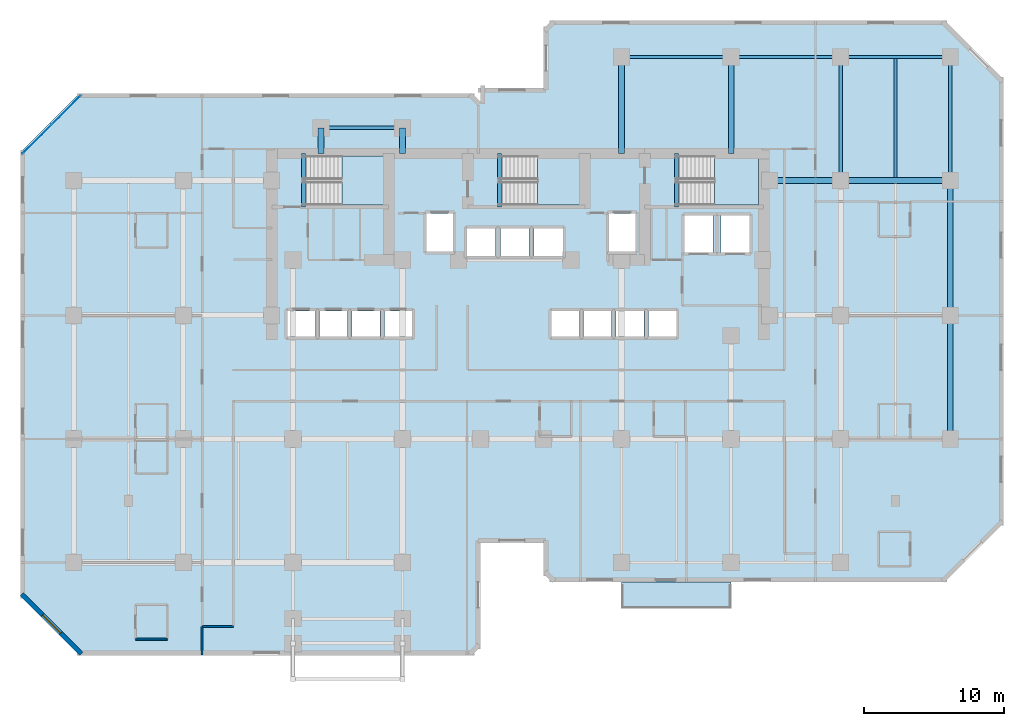
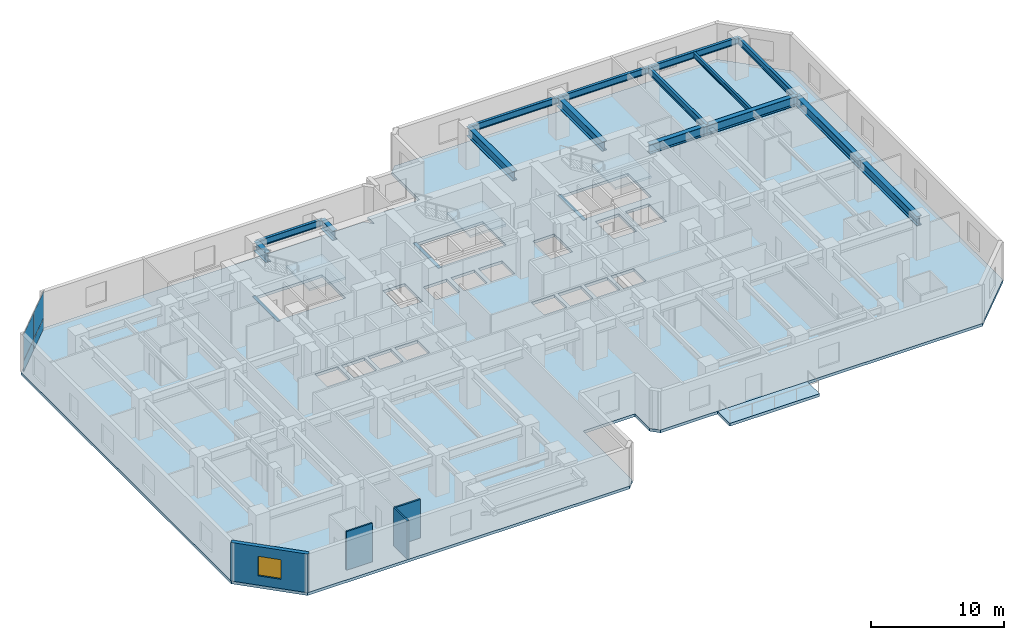
# One storey, part 5 of 12: 18 beams, 5 slabs, 4 plates, 4 walls, 1 window, 1 opening, 4 elements without a shape of their own.
"""IFC4 building model written with IfcOpenShell, lengths in metres."""

from ifc_helpers import new_model, si_unit, direction, frame, frame_2d, origin, origin_2d, place, context, subcontext, project, spatial, polyline, rectangle, i_section, outline, extrude, material, layer, layer_set, material_profile, profile_set, type_object, element, fill, aggregate, save


model = new_model("IFC4")

# Units and contexts
model_context = context("Model", 3, precision=1e-05, world=origin(), true_north=direction((0.0, 1.0)))
body_context = subcontext(model_context, "Body", "Model", "MODEL_VIEW")
ifc_project = project(units=[si_unit("LENGTHUNIT", "METRE"), si_unit("AREAUNIT", "SQUARE_METRE"), si_unit("VOLUMEUNIT", "CUBIC_METRE"), si_unit("PLANEANGLEUNIT", "RADIAN"), si_unit("MASSUNIT", "GRAM", prefix="KILO")], contexts=[model_context])

# Site, building, storey
site_placement = place(None, origin())
site = spatial("IfcSite", under=ifc_project, at=site_placement, CompositionType="ELEMENT")
building_placement = place(site_placement, origin())
building = spatial("IfcBuilding", under=site, at=building_placement, Name="Kestravale Grand Hotel", CompositionType="ELEMENT")
storey_placement = place(building_placement, frame((0.0, 0.0, 91.800048828125)))
storey = spatial("IfcBuildingStorey", under=building, at=storey_placement, Name="L22", CompositionType="ELEMENT", Elevation=91.800048828125)

# Beams
ifc_material_1 = material(Name="Steel ASTM A992 Grade 50", Category="steel")
ifc_material_profile_1 = material_profile(ifc_material_1, i_section(OverallWidth=0.19091796875, OverallDepth=0.45703125, WebThickness=0.009033203125, FlangeThickness=0.014404296875, FilletRadius=0.015380859375, at=origin_2d()))
ifc_profile_set_1 = profile_set([ifc_material_profile_1], Name="Steel ASTM A992 Grade 50")
beam_type_1 = type_object("IfcBeamType", Name="B-FLR-JST18", PredefinedType="JOIST", material=ifc_profile_set_1)
beam_1_placement = place(storey_placement, frame((66.300048828125, 38.6005859375, 3.3115234375), z_axis=(0.0, 1.0, 0.0), x_axis=(-1.0, 0.0, 0.0)))
element("IfcBeam", 1, at=beam_1_placement, inside=storey, type_object=beam_type_1, Name="L22 floor joist 10-11/F-G #1", PredefinedType="JOIST", context=body_context, shape_type="SweptSolid", body=[
    extrude(i_section(OverallWidth=0.19091796875, OverallDepth=0.45703125, WebThickness=0.009033203125, FlangeThickness=0.014404296875, FilletRadius=0.015380859375, at=origin_2d()), origin(), (0.0, 0.0, 1.0), 8.48486328125),
])
ifc_material_2 = material(Name="Concrete f'c 45 MPa", Category="concrete")
ifc_material_profile_2 = material_profile(ifc_material_2, rectangle(XDim=0.300048828125, YDim=0.39990234375, at=origin_2d()))
ifc_profile_set_2 = profile_set([ifc_material_profile_2], Name="Concrete f'c 45 MPa")
beam_type_2 = type_object("IfcBeamType", Name="B-FLR-LNT400", PredefinedType="LINTEL", material=ifc_profile_set_2)
for number, where, z_axis, x_axis, name in (
    (2, (24.159912109375, 36.52001953125, -0.199951171875), (0.0, 1.0, 0.0), (-1.0, 0.0, 0.0), "L22 ST1 flight bottom header beam"),
    (3, (38.110107421875, 36.52001953125, -0.199951171875), (0.0, 1.0, 0.0), (-1.0, 0.0, 0.0), "L22 ST2 flight bottom header beam"),
    (4, (50.7099609375, 36.52001953125, -0.199951171875), (0.0, 1.0, 0.0), (-1.0, 0.0, 0.0), "L22 ST3 flight bottom header beam"),
):
    element("IfcBeam", number, at=place(storey_placement, frame(where, z_axis=z_axis, x_axis=x_axis)), inside=storey, type_object=beam_type_2, Name=name, PredefinedType="LINTEL", context=body_context, shape_type="SweptSolid", body=[
        extrude(rectangle(XDim=0.300048828125, YDim=0.39990234375, at=origin_2d()), origin(), (0.0, 0.0, 1.0), 3.800048828125),
    ])
ifc_material_3 = material(Name="Steel ASTM A992 Grade 50", Category="steel")
ifc_material_profile_3 = material_profile(ifc_material_3, i_section(OverallWidth=0.22900390625, OverallDepth=0.612060546875, WebThickness=0.011962890625, FlangeThickness=0.01953125, FilletRadius=0.019287109375, at=origin_2d()))
ifc_profile_set_3 = profile_set([ifc_material_profile_3], Name="Steel ASTM A992 Grade 50")
beam_type_3 = type_object("IfcBeamType", Name="B-FLR-W24B", PredefinedType="SPANDREL", material=ifc_profile_set_3)
beam_2_placement = place(storey_placement, frame((46.800048828125, 47.199951171875, 3.23388671875), z_axis=(1.0, 0.0, 0.0), x_axis=(0.0, 1.0, 0.0)))
element("IfcBeam", 5, at=beam_2_placement, inside=storey, type_object=beam_type_3, Name="L22 spandrel G:8-9", PredefinedType="SPANDREL", context=body_context, shape_type="SweptSolid", body=[
    extrude(i_section(OverallWidth=0.22900390625, OverallDepth=0.612060546875, WebThickness=0.011962890625, FlangeThickness=0.01953125, FilletRadius=0.019287109375, at=origin_2d()), origin(), (0.0, 0.0, 1.0), 7.800048828125),
])
beam_3_placement = place(storey_placement, frame((54.60009765625, 47.199951171875, 3.23388671875), z_axis=(1.0, 0.0, 0.0), x_axis=(0.0, 1.0, 0.0)))
element("IfcBeam", 6, at=beam_3_placement, inside=storey, type_object=beam_type_3, Name="L22 spandrel G:9-10", PredefinedType="SPANDREL", context=body_context, shape_type="SweptSolid", body=[
    extrude(i_section(OverallWidth=0.22900390625, OverallDepth=0.612060546875, WebThickness=0.011962890625, FlangeThickness=0.01953125, FilletRadius=0.019287109375, at=origin_2d()), origin(), (0.0, 0.0, 1.0), 7.7998046875),
])
beam_4_placement = place(storey_placement, frame((62.39990234375, 47.199951171875, 3.23388671875), z_axis=(1.0, 0.0, 0.0), x_axis=(0.0, 1.0, 0.0)))
element("IfcBeam", 7, at=beam_4_placement, inside=storey, type_object=beam_type_3, Name="L22 spandrel G:10-11", PredefinedType="SPANDREL", context=body_context, shape_type="SweptSolid", body=[
    extrude(i_section(OverallWidth=0.22900390625, OverallDepth=0.612060546875, WebThickness=0.011962890625, FlangeThickness=0.01953125, FilletRadius=0.019287109375, at=origin_2d()), origin(), (0.0, 0.0, 1.0), 7.800048828125),
])
beam_5_placement = place(storey_placement, frame((25.39990234375, 42.14990234375, 3.23388671875), z_axis=(1.0, 0.0, 0.0), x_axis=(0.0, 1.0, 0.0)))
element("IfcBeam", 8, at=beam_5_placement, inside=storey, type_object=beam_type_3, Name="L22 perimeter tie spandrel FN:4-5", PredefinedType="SPANDREL", context=body_context, shape_type="SweptSolid", body=[
    extrude(i_section(OverallWidth=0.22900390625, OverallDepth=0.612060546875, WebThickness=0.011962890625, FlangeThickness=0.01953125, FilletRadius=0.019287109375, at=origin_2d()), origin(), (0.0, 0.0, 1.0), 5.800048828125),
])
for number, where, z_axis, x_axis, name in (
    (9, (62.39990234375, 38.39990234375, 3.23388671875), (0.0, 1.0, 0.0), (-1.0, 0.0, 0.0), "L22 spandrel 10:F-G"),
    (10, (70.199951171875, 38.39990234375, 3.23388671875), (0.0, 1.0, 0.0), (-1.0, 0.0, 0.0), "L22 spandrel 11:F-G"),
):
    element("IfcBeam", number, at=place(storey_placement, frame(where, z_axis=z_axis, x_axis=x_axis)), inside=storey, type_object=beam_type_3, Name=name, PredefinedType="SPANDREL", context=body_context, shape_type="SweptSolid", body=[
        extrude(i_section(OverallWidth=0.22900390625, OverallDepth=0.612060546875, WebThickness=0.011962890625, FlangeThickness=0.01953125, FilletRadius=0.019287109375, at=origin_2d()), origin(), (0.0, 0.0, 1.0), 8.800048828125),
    ])
ifc_material_4 = material(Name="Steel ASTM A992 Grade 50", Category="steel")
ifc_material_profile_4 = material_profile(ifc_material_4, i_section(OverallWidth=0.40087890625, OverallDepth=0.861083984375, WebThickness=0.019775390625, FlangeThickness=0.032470703125, FilletRadius=0.0234375, at=origin_2d()))
ifc_profile_set_4 = profile_set([ifc_material_profile_4], Name="Steel ASTM A992 Grade 50")
beam_type_4 = type_object("IfcBeamType", Name="B-GRD-W33", PredefinedType="BEAM", material=ifc_profile_set_4)
beam_6_placement = place(storey_placement, frame((57.35009765625, 38.39990234375, 3.109375), z_axis=(1.0, 0.0, 0.0), x_axis=(0.0, 1.0, 0.0)))
element("IfcBeam", 11, at=beam_6_placement, inside=storey, type_object=beam_type_4, Name="L22 girder F:CE-10", PredefinedType="BEAM", context=body_context, shape_type="SweptSolid", body=[
    extrude(i_section(OverallWidth=0.40087890625, OverallDepth=0.861083984375, WebThickness=0.019775390625, FlangeThickness=0.032470703125, FilletRadius=0.0234375, at=origin_2d()), origin(), (0.0, 0.0, 1.0), 5.0498046875),
])
beam_7_placement = place(storey_placement, frame((62.39990234375, 38.39990234375, 3.109375), z_axis=(1.0, 0.0, 0.0), x_axis=(0.0, 1.0, 0.0)))
element("IfcBeam", 12, at=beam_7_placement, inside=storey, type_object=beam_type_4, Name="L22 girder F:10-11", PredefinedType="BEAM", context=body_context, shape_type="SweptSolid", body=[
    extrude(i_section(OverallWidth=0.40087890625, OverallDepth=0.861083984375, WebThickness=0.019775390625, FlangeThickness=0.032470703125, FilletRadius=0.0234375, at=origin_2d()), origin(), (0.0, 0.0, 1.0), 7.800048828125),
])
beam_8_placement = place(storey_placement, frame((70.199951171875, 20.0, 3.109375), z_axis=(0.0, 1.0, 0.0), x_axis=(-1.0, 0.0, 0.0)))
element("IfcBeam", 13, at=beam_8_placement, inside=storey, type_object=beam_type_4, Name="L22 girder 11:D-E", PredefinedType="BEAM", context=body_context, shape_type="SweptSolid", body=[
    extrude(i_section(OverallWidth=0.40087890625, OverallDepth=0.861083984375, WebThickness=0.019775390625, FlangeThickness=0.032470703125, FilletRadius=0.0234375, at=origin_2d()), origin(), (0.0, 0.0, 1.0), 8.800048828125),
])
beam_9_placement = place(storey_placement, frame((70.199951171875, 28.800048828125, 3.109375), z_axis=(0.0, 1.0, 0.0), x_axis=(-1.0, 0.0, 0.0)))
element("IfcBeam", 14, at=beam_9_placement, inside=storey, type_object=beam_type_4, Name="L22 girder 11:E-F", PredefinedType="BEAM", context=body_context, shape_type="SweptSolid", body=[
    extrude(i_section(OverallWidth=0.40087890625, OverallDepth=0.861083984375, WebThickness=0.019775390625, FlangeThickness=0.032470703125, FilletRadius=0.0234375, at=origin_2d()), origin(), (0.0, 0.0, 1.0), 9.599853515625),
])
for number, where, z_axis, x_axis, name in (
    (15, (25.39990234375, 40.320068359375, 3.109375), (0.0, 1.0, 0.0), (-1.0, 0.0, 0.0), "L22 north wing tie girder 4:CN-FN"),
    (16, (31.199951171875, 40.320068359375, 3.109375), (0.0, 1.0, 0.0), (-1.0, 0.0, 0.0), "L22 north wing tie girder 5:CN-FN"),
):
    element("IfcBeam", number, at=place(storey_placement, frame(where, z_axis=z_axis, x_axis=x_axis)), inside=storey, type_object=beam_type_4, Name=name, PredefinedType="BEAM", context=body_context, shape_type="SweptSolid", body=[
        extrude(i_section(OverallWidth=0.40087890625, OverallDepth=0.861083984375, WebThickness=0.019775390625, FlangeThickness=0.032470703125, FilletRadius=0.0234375, at=origin_2d()), origin(), (0.0, 0.0, 1.0), 1.829833984375),
    ])
for number, where, z_axis, x_axis, name in (
    (17, (46.800048828125, 40.320068359375, 3.109375), (0.0, 1.0, 0.0), (-1.0, 0.0, 0.0), "L22 north wing tie girder 8:CN-G"),
    (18, (54.60009765625, 40.320068359375, 3.109375), (0.0, 1.0, 0.0), (-1.0, 0.0, 0.0), "L22 north wing tie girder 9:CN-G"),
):
    element("IfcBeam", number, at=place(storey_placement, frame(where, z_axis=z_axis, x_axis=x_axis)), inside=storey, type_object=beam_type_4, Name=name, PredefinedType="BEAM", context=body_context, shape_type="SweptSolid", body=[
        extrude(i_section(OverallWidth=0.40087890625, OverallDepth=0.861083984375, WebThickness=0.019775390625, FlangeThickness=0.032470703125, FilletRadius=0.0234375, at=origin_2d()), origin(), (0.0, 0.0, 1.0), 6.8798828125),
    ])

# Curtain wall, plates
ifc_material_5 = material(Name="Thermally broken champagne-bronze aluminium and low-E glazing", Category="aluminium")
ifc_layer_1 = layer(ifc_material_5, 0.199951171875)
ifc_layer_set_1 = layer_set([ifc_layer_1], Name="CW-Z2")
curtain_wall_type = type_object("IfcCurtainWallType", Name="CW-Z2", PredefinedType="NOTDEFINED", material=ifc_layer_set_1)
curtain_wall_placement = place(storey_placement, origin())
curtain_wall = element("IfcCurtainWall", 19, at=curtain_wall_placement, inside=storey, type_object=curtain_wall_type, Name="L22 unitised curtain wall 18", PredefinedType="NOTDEFINED")
ifc_material_6 = material(Name="Insulated clear low-E double glazing IGU", Category="glass")
ifc_layer_2 = layer(ifc_material_6, 0.031982421875)
ifc_layer_set_2 = layer_set([ifc_layer_2], Name="CW-PNL-32")
plate_type = type_object("IfcPlateType", Name="CW-PNL-32", PredefinedType="CURTAIN_PANEL", material=ifc_layer_set_2)
plate_1_placement = place(storey_placement, frame((7.26416015625, 43.423583984375, 0.06494140625), z_axis=(0.0, 0.0, 1.0), x_axis=(-0.707106781187, -0.707106781187, 0.0)))
plate_1 = element("IfcPlate", 20, at=plate_1_placement, type_object=plate_type, Name="CW-Z2 panel 1.1", PredefinedType="CURTAIN_PANEL", context=body_context, shape_type="SweptSolid", body=[
    extrude(rectangle(XDim=2.87744140625, YDim=0.031982421875, at=origin_2d()), origin(), (0.0, 0.0, 1.0), 0.952392578125),
])
plate_2_placement = place(storey_placement, frame((7.26416015625, 43.423583984375, 1.08251953125), z_axis=(0.0, 0.0, 1.0), x_axis=(-0.707106781187, -0.707106781187, 0.0)))
plate_2 = element("IfcPlate", 21, at=plate_2_placement, type_object=plate_type, Name="CW-Z2 panel 1.2", PredefinedType="CURTAIN_PANEL", context=body_context, shape_type="SweptSolid", body=[
    extrude(rectangle(XDim=2.87744140625, YDim=0.031982421875, at=origin_2d()), origin(), (0.0, 0.0, 1.0), 2.392578125),
])
plate_3_placement = place(storey_placement, frame((5.17626953125, 41.3359375, 0.06494140625), z_axis=(0.0, 0.0, 1.0), x_axis=(-0.707106781187, -0.707106781187, 0.0)))
plate_3 = element("IfcPlate", 22, at=plate_3_placement, type_object=plate_type, Name="CW-Z2 panel 2.1", PredefinedType="CURTAIN_PANEL", context=body_context, shape_type="SweptSolid", body=[
    extrude(rectangle(XDim=2.87744140625, YDim=0.031982421875, at=origin_2d()), origin(), (0.0, 0.0, 1.0), 0.952392578125),
])
plate_4_placement = place(storey_placement, frame((5.17626953125, 41.3359375, 1.08251953125), z_axis=(0.0, 0.0, 1.0), x_axis=(-0.707106781187, -0.707106781187, 0.0)))
plate_4 = element("IfcPlate", 23, at=plate_4_placement, type_object=plate_type, Name="CW-Z2 panel 2.2", PredefinedType="CURTAIN_PANEL", context=body_context, shape_type="SweptSolid", body=[
    extrude(rectangle(XDim=2.87744140625, YDim=0.031982421875, at=origin_2d()), origin(), (0.0, 0.0, 1.0), 2.392578125),
])
aggregate(curtain_wall, [plate_1, plate_2, plate_3, plate_4])

# Slab
ifc_material_7 = material(Name="Concrete f'c 45 MPa", Category="concrete")
ifc_layer_3 = layer(ifc_material_7, 0.27001953125)
ifc_layer_set_3 = layer_set([ifc_layer_3], Name="ES-TERR-270")
slab_type_1 = type_object("IfcSlabType", Name="ES-TERR-270", PredefinedType="FLOOR", material=ifc_layer_set_3)
slab_1_placement = place(storey_placement, frame((0.0, 0.0, -0.27001953125)))
element("IfcSlab", 24, at=slab_1_placement, inside=storey, type_object=slab_type_1, Name="L22 spiralling planted garden terrace", PredefinedType="FLOOR", context=body_context, shape_type="SweptSolid", body=[
    extrude(outline(polyline([(46.800048828125, 7.949951171875), (54.60009765625, 7.949951171875), (54.60009765625, 9.800048828125), (46.800048828125, 9.800048828125), (46.800048828125, 7.949951171875)])), origin(), (0.0, 0.0, 1.0), 0.27001953125),
])

# Stair, slab
ifc_material_8 = material(Name="Concrete f'c 45 MPa", Category="concrete")
stair_type = type_object("IfcStairType", Name="ST-CORE-380", PredefinedType="HALF_TURN_STAIR", material=ifc_material_8)
stair_1_placement = place(storey_placement, origin())
stair_1 = element("IfcStair", 25, at=stair_1_placement, inside=storey, type_object=stair_type, Name="L22 ST-1", PredefinedType="HALF_TURN_STAIR")
ifc_material_9 = material(Name="Concrete f'c 45 MPa", Category="concrete")
ifc_layer_4 = layer(ifc_material_9, 0.199951171875)
ifc_layer_set_4 = layer_set([ifc_layer_4], Name="SLB-ST-LND200")
slab_type_2 = type_object("IfcSlabType", Name="SLB-ST-LND200", PredefinedType="LANDING", material=ifc_layer_set_4)
slab_2_placement = place(storey_placement, frame((0.0, 0.0, 1.699951171875)))
slab_2 = element("IfcSlab", 26, at=slab_2_placement, type_object=slab_type_2, Name="ST-1 landing 1", PredefinedType="LANDING", context=body_context, shape_type="SweptSolid", body=[
    extrude(outline(polyline([(26.8798828125, 36.64990234375), (30.0, 36.64990234375), (30.0, 40.159912109375), (26.8798828125, 40.159912109375), (26.8798828125, 36.64990234375)])), origin(), (0.0, 0.0, 1.0), 0.199951171875),
])
aggregate(stair_1, [slab_2])

stair_2_placement = place(storey_placement, origin())
stair_2 = element("IfcStair", 27, at=stair_2_placement, inside=storey, type_object=stair_type, Name="L22 ST-2", PredefinedType="HALF_TURN_STAIR")
slab_3_placement = place(storey_placement, frame((0.0, 0.0, 1.699951171875)))
slab_3 = element("IfcSlab", 28, at=slab_3_placement, type_object=slab_type_2, Name="ST-2 landing 1", PredefinedType="LANDING", context=body_context, shape_type="SweptSolid", body=[
    extrude(outline(polyline([(40.830078125, 36.64990234375), (43.949951171875, 36.64990234375), (43.949951171875, 40.159912109375), (40.830078125, 40.159912109375), (40.830078125, 36.64990234375)])), origin(), (0.0, 0.0, 1.0), 0.199951171875),
])
aggregate(stair_2, [slab_3])

stair_3_placement = place(storey_placement, origin())
stair_3 = element("IfcStair", 29, at=stair_3_placement, inside=storey, type_object=stair_type, Name="L22 ST-3", PredefinedType="HALF_TURN_STAIR")
slab_4_placement = place(storey_placement, frame((0.0, 0.0, 1.699951171875)))
slab_4 = element("IfcSlab", 30, at=slab_4_placement, type_object=slab_type_2, Name="ST-3 landing 1", PredefinedType="LANDING", context=body_context, shape_type="SweptSolid", body=[
    extrude(outline(polyline([(53.429931640625, 36.64990234375), (56.550048828125, 36.64990234375), (56.550048828125, 40.159912109375), (53.429931640625, 40.159912109375), (53.429931640625, 36.64990234375)])), origin(), (0.0, 0.0, 1.0), 0.199951171875),
])
aggregate(stair_3, [slab_4])

# Slab
ifc_material_10 = material(Name="Concrete f'c 45 MPa", Category="concrete")
ifc_layer_5 = layer(ifc_material_10, 0.260009765625)
ifc_layer_set_5 = layer_set([ifc_layer_5], Name="SS-FLR-260")
slab_type_3 = type_object("IfcSlabType", Name="SS-FLR-260", PredefinedType="FLOOR", material=ifc_layer_set_5)
slab_5_placement = place(storey_placement, frame((0.0, 0.0, -0.260009765625)))
element("IfcSlab", 31, at=slab_5_placement, inside=storey, type_object=slab_type_3, Name="L22 structural floor slab", PredefinedType="FLOOR", context=body_context, shape_type="SweptSolid", body=[
    extrude(outline(polyline([(8.199951171875, 4.60009765625), (36.14990234375, 4.60009765625), (36.75, 5.199951171875), (36.75, 12.60009765625), (41.25, 12.60009765625), (41.25, 10.39990234375), (41.85009765625, 9.800048828125), (69.800048828125, 9.800048828125), (74.0, 14.0), (74.0, 45.60009765625), (69.800048828125, 49.800048828125), (41.85009765625, 49.800048828125), (41.25, 49.199951171875), (41.25, 45.0), (36.75, 45.0), (36.75, 44.0), (36.14990234375, 44.60009765625), (8.199951171875, 44.60009765625), (4.0, 40.39990234375), (4.0, 8.800048828125), (8.199951171875, 4.60009765625)]), holes=[polyline([(24.080078125, 36.64990234375), (30.0, 36.64990234375), (30.0, 40.159912109375), (24.080078125, 40.159912109375), (24.080078125, 36.64990234375)]), polyline([(38.030029296875, 36.64990234375), (43.949951171875, 36.64990234375), (43.949951171875, 40.159912109375), (38.030029296875, 40.159912109375), (38.030029296875, 36.64990234375)]), polyline([(50.6298828125, 36.64990234375), (56.550048828125, 36.64990234375), (56.550048828125, 40.159912109375), (50.6298828125, 40.159912109375), (50.6298828125, 36.64990234375)]), polyline([(23.0048828125, 27.280029296875), (24.9951171875, 27.280029296875), (24.9951171875, 29.1201171875), (23.0048828125, 29.1201171875), (23.0048828125, 27.280029296875)]), polyline([(25.304931640625, 27.280029296875), (27.294921875, 27.280029296875), (27.294921875, 29.1201171875), (25.304931640625, 29.1201171875), (25.304931640625, 27.280029296875)]), polyline([(27.60498046875, 27.280029296875), (29.594970703125, 27.280029296875), (29.594970703125, 29.1201171875), (27.60498046875, 29.1201171875), (27.60498046875, 27.280029296875)]), polyline([(29.905029296875, 27.280029296875), (31.89501953125, 27.280029296875), (31.89501953125, 29.1201171875), (29.905029296875, 29.1201171875), (29.905029296875, 27.280029296875)]), polyline([(41.804931640625, 27.280029296875), (43.794921875, 27.280029296875), (43.794921875, 29.1201171875), (41.804931640625, 29.1201171875), (41.804931640625, 27.280029296875)]), polyline([(44.10498046875, 27.280029296875), (46.094970703125, 27.280029296875), (46.094970703125, 29.1201171875), (44.10498046875, 29.1201171875), (44.10498046875, 27.280029296875)]), polyline([(46.405029296875, 27.280029296875), (48.39501953125, 27.280029296875), (48.39501953125, 29.1201171875), (46.405029296875, 29.1201171875), (46.405029296875, 27.280029296875)]), polyline([(48.705078125, 27.280029296875), (50.695068359375, 27.280029296875), (50.695068359375, 29.1201171875), (48.705078125, 29.1201171875), (48.705078125, 27.280029296875)]), polyline([(35.780029296875, 33.030029296875), (37.820068359375, 33.030029296875), (37.820068359375, 34.969970703125), (35.780029296875, 34.969970703125), (35.780029296875, 33.030029296875)]), polyline([(38.179931640625, 33.030029296875), (40.219970703125, 33.030029296875), (40.219970703125, 34.969970703125), (38.179931640625, 34.969970703125), (38.179931640625, 33.030029296875)]), polyline([(40.580078125, 33.030029296875), (42.6201171875, 33.030029296875), (42.6201171875, 34.969970703125), (40.580078125, 34.969970703125), (40.580078125, 33.030029296875)]), polyline([(32.905029296875, 33.35498046875), (34.794921875, 33.35498046875), (34.794921875, 36.044921875), (32.905029296875, 36.044921875), (32.905029296875, 33.35498046875)]), polyline([(45.905029296875, 33.35498046875), (47.794921875, 33.35498046875), (47.794921875, 36.044921875), (45.905029296875, 36.044921875), (45.905029296875, 33.35498046875)]), polyline([(51.280029296875, 33.280029296875), (53.320068359375, 33.280029296875), (53.320068359375, 35.919921875), (51.280029296875, 35.919921875), (51.280029296875, 33.280029296875)]), polyline([(53.8798828125, 33.280029296875), (55.919921875, 33.280029296875), (55.919921875, 35.919921875), (53.8798828125, 35.919921875), (53.8798828125, 33.280029296875)])]), origin(), (0.0, 0.0, 1.0), 0.260009765625),
])

# Wall, opening, window
ifc_material_11 = material(Name="Precast concrete f'c 45 MPa", Category="concrete")
ifc_layer_6 = layer(ifc_material_11, 0.340087890625)
ifc_layer_set_6 = layer_set([ifc_layer_6], Name="EW-PREC-340")
wall_type_1 = type_object("IfcWallType", Name="EW-PREC-340", PredefinedType="SOLIDWALL", material=ifc_layer_set_6)
wall_1_placement = place(storey_placement, frame((4.091796875, 8.948486328125, 0.0), z_axis=(0.0, 0.0, 1.0), x_axis=(0.707106781187, -0.707106781187, 0.0)))
wall_1 = element("IfcWall", 32, at=wall_1_placement, inside=storey, type_object=wall_type_1, Name="L22 fluted precast facade wall 20", PredefinedType="SOLIDWALL", context=body_context, shape_type="SweptSolid", body=[
    extrude(rectangle(XDim=6.019775390625, YDim=0.340087890625, at=frame_2d((3.009765625, 0.0))), origin(), (0.0, 0.0, 1.0), 3.5400390625),
])
opening_placement = place(wall_1_placement, frame((2.10986328125, 0.0, 0.85009765625)))
opening = element("IfcOpeningElement", 33, at=opening_placement, cuts=wall_1, Name="Opening W-GUEST-1800", PredefinedType="OPENING", context=body_context, shape_type="SweptSolid", body=[
    extrude(rectangle(XDim=1.800048828125, YDim=1.800048828125, at=frame_2d((0.89990234375, 0.89990234375))), frame((0.0, 0.179931640625, 0.0), z_axis=(0.0, -1.0, 0.0), x_axis=(1.0, 0.0, 0.0)), (0.0, 0.0, 1.0), 0.360107421875),
])
ifc_material_12 = material(Name="Insulated low-E double glazing in aluminium frame", Category="aluminium")
window_type = type_object("IfcWindowType", Name="W-GUEST-1800", PartitioningType="DOUBLE_PANEL_VERTICAL", PredefinedType="WINDOW", material=ifc_material_12)
window_placement = place(opening_placement, origin())
window = element("IfcWindow", 34, at=window_placement, inside=storey, type_object=window_type, Name="L22 exterior window 20.1", OverallHeight=1.800048828125, OverallWidth=1.800048828125, PartitioningType="SINGLE_PANEL", PredefinedType="WINDOW", context=body_context, shape_type="SweptSolid", body=[
    extrude(rectangle(XDim=1.800048828125, YDim=1.800048828125, at=frame_2d((0.89990234375, 0.89990234375))), frame((0.0, 0.030029296875, 0.0), z_axis=(0.0, -1.0, 0.0), x_axis=(1.0, 0.0, 0.0)), (0.0, 0.0, 1.0), 0.06005859375),
])
fill(opening, window)

# Walls
ifc_material_13 = material(Name="Moisture-resistant tile-backer plumbing chase wall", Category="other")
ifc_layer_7 = layer(ifc_material_13, 0.139892578125)
ifc_layer_set_7 = layer_set([ifc_layer_7], Name="IW-PLB-140")
wall_type_2 = type_object("IfcWallType", Name="IW-PLB-140", PredefinedType="PLUMBINGWALL", material=ifc_layer_set_7)
wall_2_placement = place(storey_placement, frame((12.199951171875, 5.75, 0.0), z_axis=(0.0, 0.0, 1.0), x_axis=(1.0, 0.0, 0.0)))
element("IfcWall", 35, at=wall_2_placement, inside=storey, type_object=wall_type_2, Name="W-L22-U03-BS", PredefinedType="PLUMBINGWALL", context=body_context, shape_type="SweptSolid", body=[
    extrude(rectangle(XDim=2.25, YDim=0.139892578125, at=frame_2d((1.125, 0.0))), origin(), (0.0, 0.0, 1.0), 3.5400390625),
])
ifc_material_14 = material(Name="Double-stud STC 52 acoustic demising partition", Category="other")
ifc_layer_8 = layer(ifc_material_14, 0.14990234375)
ifc_layer_set_8 = layer_set([ifc_layer_8], Name="IW-UNIT-150")
wall_type_3 = type_object("IfcWallType", Name="IW-UNIT-150", PredefinedType="PARTITIONING", material=ifc_layer_set_8)
wall_3_placement = place(storey_placement, frame((16.93994140625, 6.64990234375, 0.0), z_axis=(0.0, 0.0, 1.0), x_axis=(1.0, 0.0, 0.0)))
element("IfcWall", 36, at=wall_3_placement, inside=storey, type_object=wall_type_3, Name="W-L22-SW-S", PredefinedType="PARTITIONING", context=body_context, shape_type="SweptSolid", body=[
    extrude(rectangle(XDim=2.219970703125, YDim=0.14990234375, at=frame_2d((1.10986328125, 0.0))), origin(), (0.0, 0.0, 1.0), 3.5400390625),
])
wall_4_placement = place(storey_placement, frame((16.93994140625, 4.6201171875, 0.0), z_axis=(0.0, 0.0, 1.0), x_axis=(0.0, 1.0, 0.0)))
element("IfcWall", 37, at=wall_4_placement, inside=storey, type_object=wall_type_3, Name="W-L22-SW-EXT", PredefinedType="PARTITIONING", context=body_context, shape_type="SweptSolid", body=[
    extrude(rectangle(XDim=2.02978515625, YDim=0.14990234375, at=frame_2d((1.014892578125, 0.0))), origin(), (0.0, 0.0, 1.0), 3.5400390625),
])

save(model, "model.ifc")
